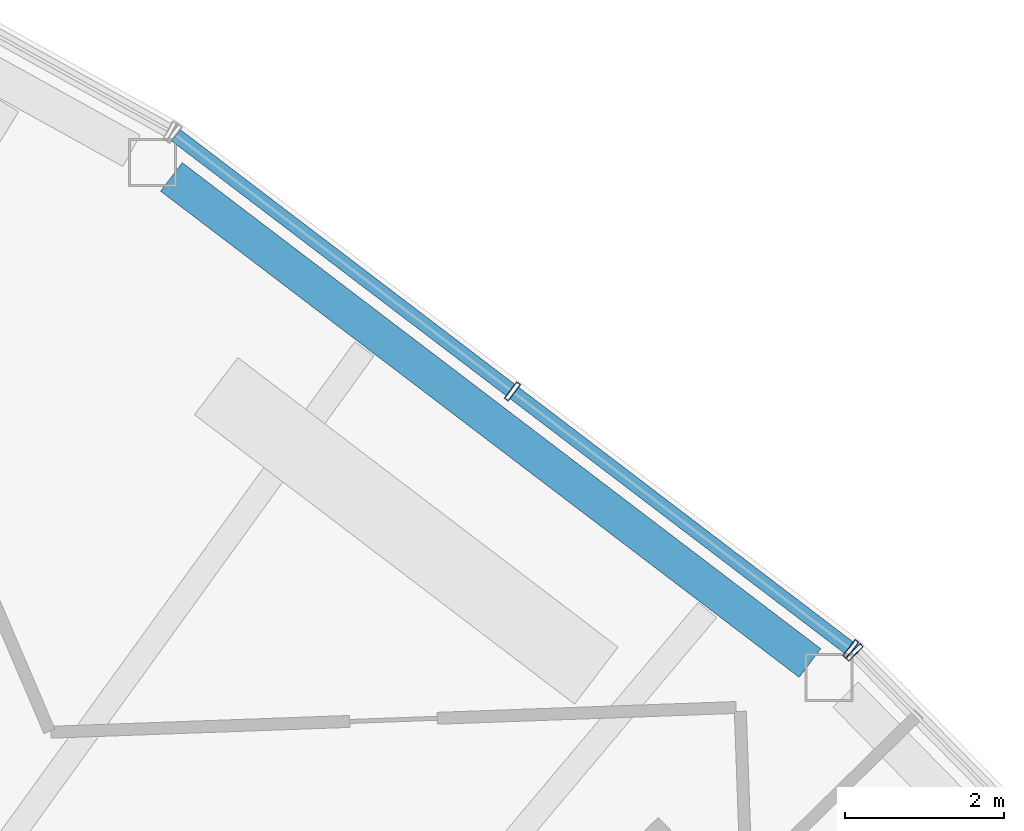
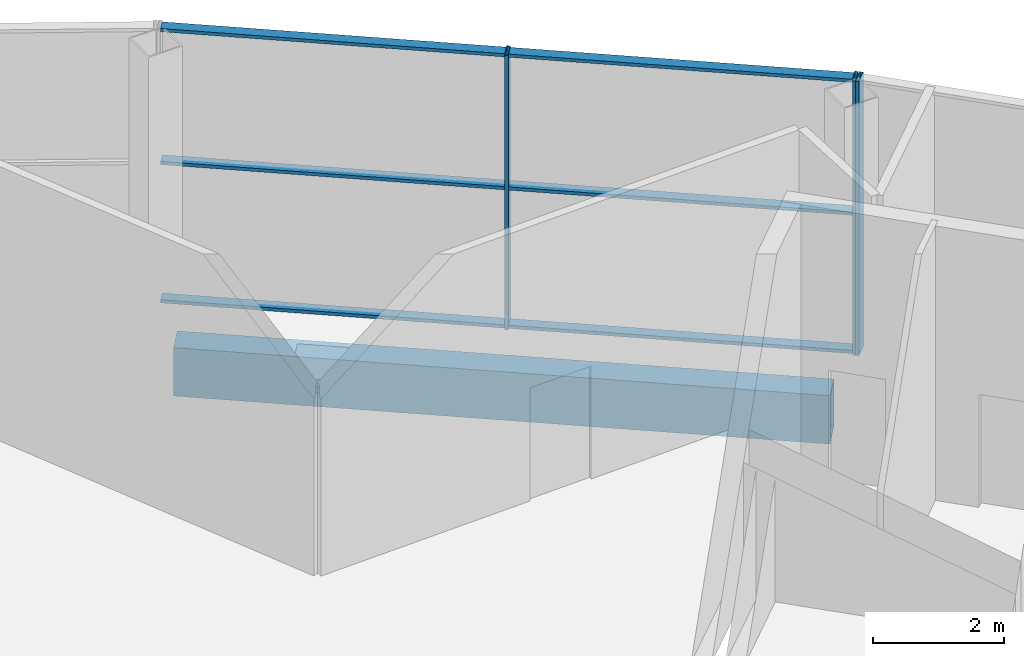
# One storey, part 26 of 43: 9 members, 1 beam, 2 elements without a shape of their own.
"""IFC4 building model written with IfcOpenShell, lengths in metres."""

from ifc_helpers import new_model, si_unit, direction, frame, origin, origin_2d, place, context, subcontext, project, spatial, hollow_rectangle, extrude, material, layer, layer_set, material_profile, profile_set, type_object, element, aggregate, save


model = new_model("IFC4")

# Units and contexts
model_context = context("Model", 3, precision=1e-05, world=origin(), true_north=direction((0.0, 1.0)))
body_context = subcontext(model_context, "Body", "Model", "MODEL_VIEW")
ifc_project = project(units=[si_unit("LENGTHUNIT", "METRE"), si_unit("AREAUNIT", "SQUARE_METRE"), si_unit("VOLUMEUNIT", "CUBIC_METRE"), si_unit("PLANEANGLEUNIT", "RADIAN"), si_unit("MASSUNIT", "GRAM", prefix="KILO")], contexts=[model_context])

# Site, building, storey
site_placement = place(None, origin())
site = spatial("IfcSite", under=ifc_project, at=site_placement, CompositionType="ELEMENT")
building_placement = place(site_placement, origin())
building = spatial("IfcBuilding", under=site, at=building_placement, Name="Tuul Gate Civic Tower", CompositionType="ELEMENT")
storey_placement = place(building_placement, frame((0.0, 0.0, 349.10009765625)))
storey = spatial("IfcBuildingStorey", under=building, at=storey_placement, Name="Observation level 1", CompositionType="ELEMENT", Elevation=349.10009765625)

# Curtain wall, member
ifc_material_1 = material(Name="Stainless steel", Category="steel")
ifc_layer = layer(ifc_material_1, 0.199951171875)
ifc_layer_set = layer_set([ifc_layer], Name="Stainless steel")
curtain_wall_type = type_object("IfcCurtainWallType", Name="Curtain wall CW4", PredefinedType="NOTDEFINED", material=ifc_layer_set)
curtain_wall_1_placement = place(storey_placement, origin())
curtain_wall_1 = element("IfcCurtainWall", 1, at=curtain_wall_1_placement, inside=storey, type_object=curtain_wall_type, Name="Curtain wall CW4", PredefinedType="NOTDEFINED")
ifc_material_2 = material(Name="Stainless steel", Category="steel")
ifc_material_profile_1 = material_profile(ifc_material_2, hollow_rectangle(XDim=0.260009765625, YDim=0.06005859375, WallThickness=0.006103515625, at=origin_2d()), Name="CW4 mullion")
ifc_profile_set_1 = profile_set([ifc_material_profile_1], Name="Stainless steel")
member_type_1 = type_object("IfcMemberType", Name="CW4 mullion", PredefinedType="MULLION", material=ifc_profile_set_1)
member_1_placement = place(storey_placement, frame((51.408935546875, -4.346435546875, 0.0), z_axis=(0.0, 0.0, 1.0), x_axis=(-0.714100212908, -0.700043488595, 0.0)))
member_1 = element("IfcMember", 2, at=member_1_placement, type_object=member_type_1, Name="Mullion", PredefinedType="MULLION", context=body_context, shape_type="SweptSolid", body=[
    extrude(hollow_rectangle(XDim=0.260009765625, YDim=0.06005859375, WallThickness=0.006103515625, at=origin_2d()), origin(), (0.0, 0.0, 1.0), 5.099853515625),
])
aggregate(curtain_wall_1, [member_1])

# Curtain wall, members
curtain_wall_2_placement = place(storey_placement, origin())
curtain_wall_2 = element("IfcCurtainWall", 3, at=curtain_wall_2_placement, inside=storey, type_object=curtain_wall_type, Name="Curtain wall CW4", PredefinedType="NOTDEFINED")
member_2_placement = place(storey_placement, frame((51.364013671875, -4.306884765625, 0.0), z_axis=(0.0, 0.0, 1.0), x_axis=(-0.605807600786, -0.795611180684, 0.0)))
member_2 = element("IfcMember", 4, at=member_2_placement, type_object=member_type_1, Name="Mullion", PredefinedType="MULLION", context=body_context, shape_type="SweptSolid", body=[
    extrude(hollow_rectangle(XDim=0.260009765625, YDim=0.06005859375, WallThickness=0.006103515625, at=origin_2d()), origin(), (0.0, 0.0, 1.0), 5.099853515625),
])
member_3_placement = place(storey_placement, frame((47.114501953125, -1.071044921875, 0.0), z_axis=(0.0, 0.0, 1.0), x_axis=(-0.605807600786, -0.795611180684, 0.0)))
member_3 = element("IfcMember", 5, at=member_3_placement, type_object=member_type_1, Name="Mullion", PredefinedType="MULLION", context=body_context, shape_type="SweptSolid", body=[
    extrude(hollow_rectangle(XDim=0.260009765625, YDim=0.06005859375, WallThickness=0.006103515625, at=origin_2d()), origin(), (0.0, 0.0, 1.0), 5.099853515625),
])
ifc_material_3 = material(Name="Stainless steel", Category="steel")
ifc_material_profile_2 = material_profile(ifc_material_3, hollow_rectangle(XDim=0.179931640625, YDim=0.06005859375, WallThickness=0.006103515625, at=origin_2d()), Name="CW4 transom")
ifc_profile_set_2 = profile_set([ifc_material_profile_2], Name="Stainless steel")
member_type_2 = type_object("IfcMemberType", Name="CW4 transom", PredefinedType="USERDEFINED", material=ifc_profile_set_2)
member_4_placement = place(storey_placement, frame((51.34033203125, -4.28857421875, 0.02978515625), z_axis=(-0.795613143647, 0.605805022805, 0.0), x_axis=(-0.605805022805, -0.795613143647, 0.0)))
member_4 = element("IfcMember", 6, at=member_4_placement, type_object=member_type_2, Name="Transom", ObjectType="TRANSOM", PredefinedType="USERDEFINED", context=body_context, shape_type="SweptSolid", body=[
    extrude(hollow_rectangle(XDim=0.179931640625, YDim=0.06005859375, WallThickness=0.006103515625, at=origin_2d()), origin(), (0.0, 0.0, 1.0), 5.28125),
])
member_5_placement = place(storey_placement, frame((51.34033203125, -4.28857421875, 2.599853515625), z_axis=(-0.795613143647, 0.605805022805, 0.0), x_axis=(-0.605805022805, -0.795613143647, 0.0)))
member_5 = element("IfcMember", 7, at=member_5_placement, type_object=member_type_2, Name="Transom", ObjectType="TRANSOM", PredefinedType="USERDEFINED", context=body_context, shape_type="SweptSolid", body=[
    extrude(hollow_rectangle(XDim=0.179931640625, YDim=0.06005859375, WallThickness=0.006103515625, at=origin_2d()), origin(), (0.0, 0.0, 1.0), 5.28125),
])
member_6_placement = place(storey_placement, frame((51.34033203125, -4.28857421875, 5.06982421875), z_axis=(-0.795613143647, 0.605805022805, 0.0), x_axis=(-0.605805022805, -0.795613143647, 0.0)))
member_6 = element("IfcMember", 8, at=member_6_placement, type_object=member_type_2, Name="Transom", ObjectType="TRANSOM", PredefinedType="USERDEFINED", context=body_context, shape_type="SweptSolid", body=[
    extrude(hollow_rectangle(XDim=0.179931640625, YDim=0.06005859375, WallThickness=0.006103515625, at=origin_2d()), origin(), (0.0, 0.0, 1.0), 5.28125),
])
member_7_placement = place(storey_placement, frame((47.090576171875, -1.052734375, 0.02978515625), z_axis=(-0.795613143647, 0.605805022805, 0.0), x_axis=(-0.605805022805, -0.795613143647, 0.0)))
member_7 = element("IfcMember", 9, at=member_7_placement, type_object=member_type_2, Name="Transom", ObjectType="TRANSOM", PredefinedType="USERDEFINED", context=body_context, shape_type="SweptSolid", body=[
    extrude(hollow_rectangle(XDim=0.179931640625, YDim=0.06005859375, WallThickness=0.006103515625, at=origin_2d()), origin(), (0.0, 0.0, 1.0), 5.28125),
])
member_8_placement = place(storey_placement, frame((47.090576171875, -1.052734375, 2.599853515625), z_axis=(-0.795613143647, 0.605805022805, 0.0), x_axis=(-0.605805022805, -0.795613143647, 0.0)))
member_8 = element("IfcMember", 10, at=member_8_placement, type_object=member_type_2, Name="Transom", ObjectType="TRANSOM", PredefinedType="USERDEFINED", context=body_context, shape_type="SweptSolid", body=[
    extrude(hollow_rectangle(XDim=0.179931640625, YDim=0.06005859375, WallThickness=0.006103515625, at=origin_2d()), origin(), (0.0, 0.0, 1.0), 5.28125),
])
member_9_placement = place(storey_placement, frame((47.090576171875, -1.052734375, 5.06982421875), z_axis=(-0.795613143647, 0.605805022805, 0.0), x_axis=(-0.605805022805, -0.795613143647, 0.0)))
member_9 = element("IfcMember", 11, at=member_9_placement, type_object=member_type_2, Name="Transom", ObjectType="TRANSOM", PredefinedType="USERDEFINED", context=body_context, shape_type="SweptSolid", body=[
    extrude(hollow_rectangle(XDim=0.179931640625, YDim=0.06005859375, WallThickness=0.006103515625, at=origin_2d()), origin(), (0.0, 0.0, 1.0), 5.28125),
])
aggregate(curtain_wall_2, [member_2, member_3, member_4, member_5, member_6, member_7, member_8, member_9])

# Beam
ifc_material_4 = material(Name="Steel S355", Category="steel")
ifc_material_profile_3 = material_profile(ifc_material_4, hollow_rectangle(XDim=0.449951171875, YDim=0.89990234375, WallThickness=0.02490234375, at=origin_2d()), Name="BOX900x450x25")
ifc_profile_set_3 = profile_set([ifc_material_profile_3], Name="Steel S355")
beam_type = type_object("IfcBeamType", Name="STR-SPANDREL BEAM-BOX900x450x25", PredefinedType="BEAM", material=ifc_profile_set_3)
beam_placement = place(storey_placement, frame((50.851318359375, -4.481201171875, -0.85009765625), z_axis=(-0.795665227609, 0.605736614028, 0.0), x_axis=(-0.605736614028, -0.795665227609, 0.0)))
element("IfcBeam", 12, at=beam_placement, inside=storey, type_object=beam_type, Name="Spandrel beam", PredefinedType="BEAM", context=body_context, shape_type="SweptSolid", body=[
    extrude(hollow_rectangle(XDim=0.449951171875, YDim=0.89990234375, WallThickness=0.02490234375, at=origin_2d()), origin(), (0.0, 0.0, 1.0), 10.077880859375),
])

save(model, "model.ifc")
